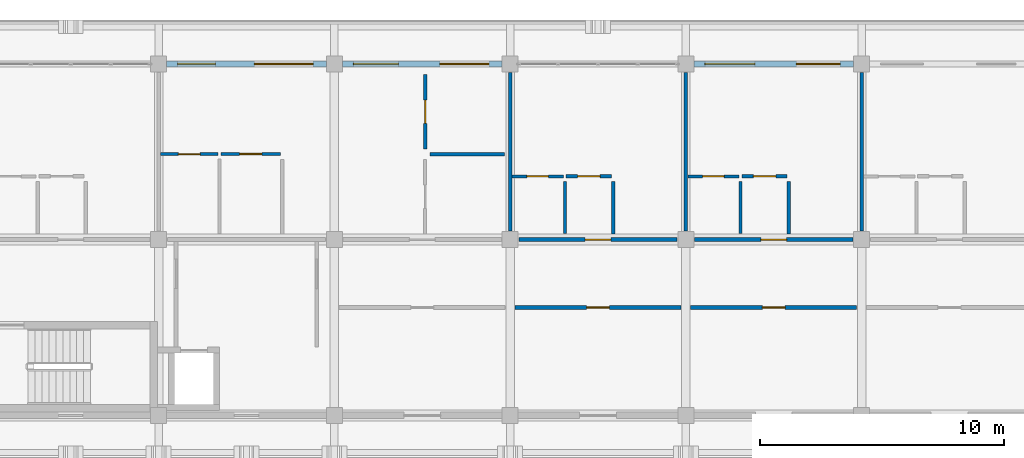
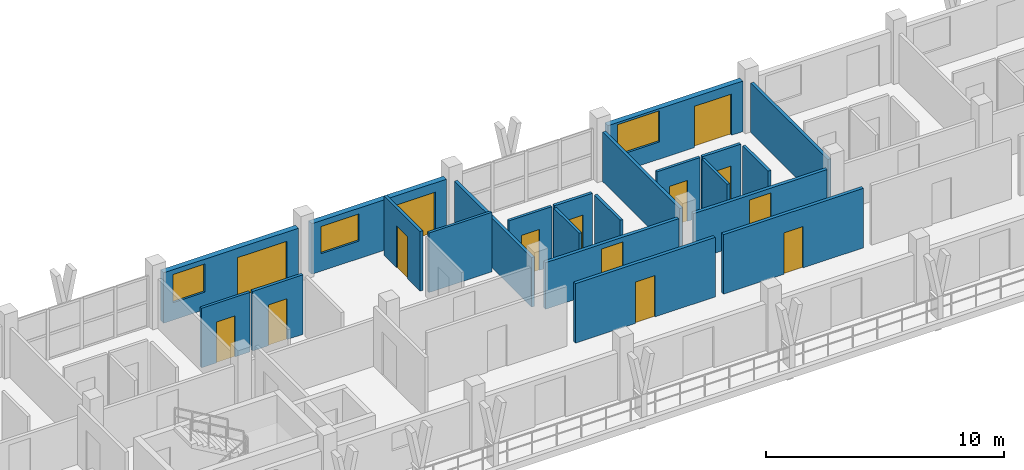
# One storey, part 46 of 75: 22 walls, 14 doors, 3 windows, 17 openings.
"""IFC4 building model written with IfcOpenShell, lengths in metres."""

from ifc_helpers import new_model, si_unit, direction, frame, frame_2d, origin, place, context, subcontext, project, spatial, rectangle, extrude, material, layer, layer_set, type_object, element, fill, save


model = new_model("IFC4")

# Units and contexts
model_context = context("Model", 3, precision=1e-05, world=origin(), true_north=direction((0.0, 1.0)))
body_context = subcontext(model_context, "Body", "Model", "MODEL_VIEW")
ifc_project = project(units=[si_unit("LENGTHUNIT", "METRE"), si_unit("AREAUNIT", "SQUARE_METRE"), si_unit("VOLUMEUNIT", "CUBIC_METRE"), si_unit("PLANEANGLEUNIT", "RADIAN"), si_unit("MASSUNIT", "GRAM", prefix="KILO")], contexts=[model_context])

# Site, building, storey
site_placement = place(None, origin())
site = spatial("IfcSite", under=ifc_project, at=site_placement, CompositionType="ELEMENT")
building_placement = place(site_placement, origin())
building = spatial("IfcBuilding", under=site, at=building_placement, Name="Suanplinth Sawtooth Commons", CompositionType="ELEMENT")
storey_placement = place(building_placement, frame((0.0, 0.0, 18.60009765625)))
storey = spatial("IfcBuildingStorey", under=building, at=storey_placement, Name="L05", CompositionType="ELEMENT", Elevation=18.60009765625)

# Wall, openings, door, window
ifc_material_1 = material(Name="Precast concrete C40/50", Category="concrete")
ifc_layer_1 = layer(ifc_material_1, 0.260009765625, Name="Insulated precast courtyard facade wall 260mm")
ifc_layer_set_1 = layer_set([ifc_layer_1], Name="Precast concrete C40/50")
wall_type_1 = type_object("IfcWallType", Name="W-EX02", PredefinedType="ELEMENTEDWALL", material=ifc_layer_set_1)
wall_1_placement = place(storey_placement, frame((65.125, 122.39990234375, 0.0), z_axis=(0.0, 0.0, 1.0), x_axis=(1.0, 0.0, 0.0)))
wall_1 = element("IfcWall", 1, at=wall_1_placement, inside=storey, type_object=wall_type_1, Name="Facade Wall W-L05-A-N-9", PredefinedType="ELEMENTEDWALL", context=body_context, shape_type="SweptSolid", body=[
    extrude(rectangle(XDim=6.550048828125, YDim=0.260009765625, at=frame_2d((3.27490234375, 0.0))), origin(), (0.0, 0.0, 1.0), 2.594970703125),
])
opening_1_placement = place(wall_1_placement, frame((3.60009765625, 0.0, 0.0)))
opening_1 = element("IfcOpeningElement", 2, at=opening_1_placement, cuts=wall_1, Name="Opening ED0407", PredefinedType="OPENING", context=body_context, shape_type="SweptSolid", body=[
    extrude(rectangle(XDim=2.39990234375, YDim=2.1201171875, at=frame_2d((1.199951171875, 1.06005859375))), frame((0.0, 0.14501953125, 0.0), z_axis=(0.0, -1.0, 0.0), x_axis=(1.0, 0.0, 0.0)), (0.0, 0.0, 1.0), 0.289794921875),
])
opening_2_placement = place(wall_1_placement, frame((0.449951171875, 0.0, 0.89990234375)))
opening_2 = element("IfcOpeningElement", 3, at=opening_2_placement, cuts=wall_1, Name="Opening W0501", PredefinedType="OPENING", context=body_context, shape_type="SweptSolid", body=[
    extrude(rectangle(XDim=1.550048828125, YDim=1.449951171875, at=frame_2d((0.77490234375, 0.72509765625))), frame((0.0, 0.14501953125, 0.0), z_axis=(0.0, -1.0, 0.0), x_axis=(1.0, 0.0, 0.0)), (0.0, 0.0, 1.0), 0.289794921875),
])
ifc_material_2 = material(Name="Anodized aluminium and low-E glass", Category="aluminium")
door_type_1 = type_object("IfcDoorType", Name="SD-04", OperationType="DOUBLE_DOOR_SLIDING", PredefinedType="DOOR", material=ifc_material_2)
door_1_placement = place(opening_1_placement, frame((2.39990234375, 0.0, 0.0), z_axis=(0.0, 0.0, 1.0), x_axis=(-1.0, 0.0, 0.0)))
door_1 = element("IfcDoor", 4, at=door_1_placement, inside=storey, type_object=door_type_1, Name="Balcony Sliding Door L05-A-N-9", OperationType="DOUBLE_DOOR_SLIDING", OverallHeight=2.1201171875, OverallWidth=2.39990234375, PredefinedType="DOOR", context=body_context, shape_type="SweptSolid", body=[
    extrude(rectangle(XDim=2.39990234375, YDim=2.1201171875, at=frame_2d((1.199951171875, 1.06005859375))), frame((0.0, 0.02490234375, 0.0), z_axis=(0.0, -1.0, 0.0), x_axis=(1.0, 0.0, 0.0)), (0.0, 0.0, 1.0), 0.050048828125),
])
fill(opening_1, door_1)
ifc_material_3 = material(Name="Thermally broken aluminium and low-E double glazing", Category="aluminium")
window_type_1 = type_object("IfcWindowType", Name="WN-22", PartitioningType="DOUBLE_PANEL_VERTICAL", PredefinedType="WINDOW", material=ifc_material_3)
window_1_placement = place(opening_2_placement, origin())
window_1 = element("IfcWindow", 5, at=window_1_placement, inside=storey, type_object=window_type_1, Name="Window L05-A-N-9", OverallHeight=1.449951171875, OverallWidth=1.550048828125, PartitioningType="DOUBLE_PANEL_VERTICAL", PredefinedType="WINDOW", context=body_context, shape_type="SweptSolid", body=[
    extrude(rectangle(XDim=1.550048828125, YDim=1.449951171875, at=frame_2d((0.77490234375, 0.72509765625))), frame((0.0, 0.030029296875, 0.0), z_axis=(0.0, -1.0, 0.0), x_axis=(1.0, 0.0, 0.0)), (0.0, 0.0, 1.0), 0.06005859375),
])
fill(opening_2, window_1)

wall_2_placement = place(storey_placement, frame((72.324951171875, 122.39990234375, 0.0), z_axis=(0.0, 0.0, 1.0), x_axis=(1.0, 0.0, 0.0)))
wall_2 = element("IfcWall", 6, at=wall_2_placement, inside=storey, type_object=wall_type_1, Name="Facade Wall W-L05-A-N-10", PredefinedType="ELEMENTEDWALL", context=body_context, shape_type="SweptSolid", body=[
    extrude(rectangle(XDim=6.550048828125, YDim=0.260009765625, at=frame_2d((3.27490234375, 0.0))), origin(), (0.0, 0.0, 1.0), 2.594970703125),
])
opening_3_placement = place(wall_2_placement, frame((4.0, 0.0, 0.0)))
opening_3 = element("IfcOpeningElement", 7, at=opening_3_placement, cuts=wall_2, Name="Opening ED0408", PredefinedType="OPENING", context=body_context, shape_type="SweptSolid", body=[
    extrude(rectangle(XDim=2.0, YDim=2.1201171875, at=frame_2d((1.0, 1.06005859375))), frame((0.0, 0.14501953125, 0.0), z_axis=(0.0, -1.0, 0.0), x_axis=(1.0, 0.0, 0.0)), (0.0, 0.0, 1.0), 0.289794921875),
])
opening_4_placement = place(wall_2_placement, frame((0.449951171875, 0.0, 0.89990234375)))
opening_4 = element("IfcOpeningElement", 8, at=opening_4_placement, cuts=wall_2, Name="Opening W0503", PredefinedType="OPENING", context=body_context, shape_type="SweptSolid", body=[
    extrude(rectangle(XDim=1.85009765625, YDim=1.39990234375, at=frame_2d((0.925048828125, 0.699951171875))), frame((0.0, 0.14501953125, 0.0), z_axis=(0.0, -1.0, 0.0), x_axis=(1.0, 0.0, 0.0)), (0.0, 0.0, 1.0), 0.289794921875),
])
door_type_2 = type_object("IfcDoorType", Name="SD-06", OperationType="DOUBLE_DOOR_SLIDING", PredefinedType="DOOR", material=ifc_material_2)
door_2_placement = place(opening_3_placement, frame((2.0, 0.0, 0.0), z_axis=(0.0, 0.0, 1.0), x_axis=(-1.0, 0.0, 0.0)))
door_2 = element("IfcDoor", 9, at=door_2_placement, inside=storey, type_object=door_type_2, Name="Balcony Sliding Door L05-A-N-10", OperationType="DOUBLE_DOOR_SLIDING", OverallHeight=2.1201171875, OverallWidth=2.0, PredefinedType="DOOR", context=body_context, shape_type="SweptSolid", body=[
    extrude(rectangle(XDim=2.0, YDim=2.1201171875, at=frame_2d((1.0, 1.06005859375))), frame((0.0, 0.02490234375, 0.0), z_axis=(0.0, -1.0, 0.0), x_axis=(1.0, 0.0, 0.0)), (0.0, 0.0, 1.0), 0.050048828125),
])
fill(opening_3, door_2)
window_type_2 = type_object("IfcWindowType", Name="WN-23", PartitioningType="DOUBLE_PANEL_VERTICAL", PredefinedType="WINDOW", material=ifc_material_3)
window_2_placement = place(opening_4_placement, origin())
window_2 = element("IfcWindow", 10, at=window_2_placement, inside=storey, type_object=window_type_2, Name="Window L05-A-N-10", OverallHeight=1.39990234375, OverallWidth=1.85009765625, PartitioningType="DOUBLE_PANEL_VERTICAL", PredefinedType="WINDOW", context=body_context, shape_type="SweptSolid", body=[
    extrude(rectangle(XDim=1.85009765625, YDim=1.39990234375, at=frame_2d((0.925048828125, 0.699951171875))), frame((0.0, 0.030029296875, 0.0), z_axis=(0.0, -1.0, 0.0), x_axis=(1.0, 0.0, 0.0)), (0.0, 0.0, 1.0), 0.06005859375),
])
fill(opening_4, window_2)

wall_3_placement = place(storey_placement, frame((86.72509765625, 122.39990234375, 0.0), z_axis=(0.0, 0.0, 1.0), x_axis=(1.0, 0.0, 0.0)))
wall_3 = element("IfcWall", 11, at=wall_3_placement, inside=storey, type_object=wall_type_1, Name="Facade Wall W-L05-A-N-12", PredefinedType="ELEMENTEDWALL", context=body_context, shape_type="SweptSolid", body=[
    extrude(rectangle(XDim=6.5498046875, YDim=0.260009765625, at=frame_2d((3.27490234375, 0.0))), origin(), (0.0, 0.0, 1.0), 2.594970703125),
])
opening_5_placement = place(wall_3_placement, frame((4.199951171875, 0.0, 0.0)))
opening_5 = element("IfcOpeningElement", 12, at=opening_5_placement, cuts=wall_3, Name="Opening ED0411", PredefinedType="OPENING", context=body_context, shape_type="SweptSolid", body=[
    extrude(rectangle(XDim=1.800048828125, YDim=2.1201171875, at=frame_2d((0.89990234375, 1.06005859375))), frame((0.0, 0.14501953125, 0.0), z_axis=(0.0, -1.0, 0.0), x_axis=(1.0, 0.0, 0.0)), (0.0, 0.0, 1.0), 0.289794921875),
])
opening_6_placement = place(wall_3_placement, frame((0.449951171875, 0.0, 0.885009765625)))
opening_6 = element("IfcOpeningElement", 13, at=opening_6_placement, cuts=wall_3, Name="Opening W0504", PredefinedType="OPENING", context=body_context, shape_type="SweptSolid", body=[
    extrude(rectangle(XDim=2.050048828125, YDim=1.60009765625, at=frame_2d((1.02490234375, 0.800048828125))), frame((0.0, 0.14501953125, 0.0), z_axis=(0.0, -1.0, 0.0), x_axis=(1.0, 0.0, 0.0)), (0.0, 0.0, 1.0), 0.289794921875),
])
door_type_3 = type_object("IfcDoorType", Name="SD-01", OperationType="SLIDING_TO_LEFT", PredefinedType="DOOR", material=ifc_material_2)
door_3_placement = place(opening_5_placement, frame((1.800048828125, 0.0, 0.0), z_axis=(0.0, 0.0, 1.0), x_axis=(-1.0, 0.0, 0.0)))
door_3 = element("IfcDoor", 14, at=door_3_placement, inside=storey, type_object=door_type_3, Name="Balcony Sliding Door L05-A-N-12", OperationType="SLIDING_TO_LEFT", OverallHeight=2.1201171875, OverallWidth=1.800048828125, PredefinedType="DOOR", context=body_context, shape_type="SweptSolid", body=[
    extrude(rectangle(XDim=1.800048828125, YDim=2.1201171875, at=frame_2d((0.89990234375, 1.06005859375))), frame((0.0, 0.02490234375, 0.0), z_axis=(0.0, -1.0, 0.0), x_axis=(1.0, 0.0, 0.0)), (0.0, 0.0, 1.0), 0.050048828125),
])
fill(opening_5, door_3)
window_type_3 = type_object("IfcWindowType", Name="WN-25", PartitioningType="DOUBLE_PANEL_VERTICAL", PredefinedType="WINDOW", material=ifc_material_3)
window_3_placement = place(opening_6_placement, origin())
window_3 = element("IfcWindow", 15, at=window_3_placement, inside=storey, type_object=window_type_3, Name="Window L05-A-N-12", OverallHeight=1.60009765625, OverallWidth=2.050048828125, PartitioningType="DOUBLE_PANEL_VERTICAL", PredefinedType="WINDOW", context=body_context, shape_type="SweptSolid", body=[
    extrude(rectangle(XDim=2.050048828125, YDim=1.60009765625, at=frame_2d((1.02490234375, 0.800048828125))), frame((0.0, 0.030029296875, 0.0), z_axis=(0.0, -1.0, 0.0), x_axis=(1.0, 0.0, 0.0)), (0.0, 0.0, 1.0), 0.06005859375),
])
fill(opening_6, window_3)

# Wall, opening, door
ifc_layer_2 = layer(ifc_material_1, 0.159912109375, Name="Fire-rated corridor and lobby wall 160mm")
ifc_layer_set_2 = layer_set([ifc_layer_2], Name="Precast concrete C40/50")
wall_type_2 = type_object("IfcWallType", Name="W-FW01", PredefinedType="PARTITIONING", material=ifc_layer_set_2)
wall_4_placement = place(storey_placement, frame((79.554931640625, 115.199951171875, 0.0), z_axis=(0.0, 0.0, 1.0), x_axis=(1.0, 0.0, 0.0)))
wall_4 = element("IfcWall", 16, at=wall_4_placement, inside=storey, type_object=wall_type_2, Name="W-A-L05-U08-COR", PredefinedType="PARTITIONING", context=body_context, shape_type="SweptSolid", body=[
    extrude(rectangle(XDim=6.489990234375, YDim=0.159912109375, at=frame_2d((3.2451171875, 0.0))), origin(), (0.0, 0.0, 1.0), 2.39501953125),
])
opening_7_placement = place(wall_4_placement, frame((2.719970703125, 0.0, 0.0)))
opening_7 = element("IfcOpeningElement", 17, at=opening_7_placement, cuts=wall_4, Name="Opening FD1224", PredefinedType="OPENING", context=body_context, shape_type="SweptSolid", body=[
    extrude(rectangle(XDim=1.050048828125, YDim=2.14990234375, at=frame_2d((0.52490234375, 1.074951171875))), frame((0.0, 0.0947265625, 0.0), z_axis=(0.0, -1.0, 0.0), x_axis=(1.0, 0.0, 0.0)), (0.0, 0.0, 1.0), 0.189697265625),
])
ifc_material_4 = material(Name="Teak hardwood fire-rated door assembly", Category="wood")
door_type_4 = type_object("IfcDoorType", Name="FD-04", OperationType="NOTDEFINED", PredefinedType="DOOR", material=ifc_material_4)
door_4_placement = place(opening_7_placement, origin())
door_4 = element("IfcDoor", 18, at=door_4_placement, inside=storey, type_object=door_type_4, Name="Unit Entrance Door FD1224", OperationType="SINGLE_SWING_RIGHT", OverallHeight=2.14990234375, OverallWidth=1.050048828125, PredefinedType="DOOR", context=body_context, shape_type="SweptSolid", body=[
    extrude(rectangle(XDim=1.050048828125, YDim=2.14990234375, at=frame_2d((0.52490234375, 1.074951171875))), frame((0.0, 0.02490234375, 0.0), z_axis=(0.0, -1.0, 0.0), x_axis=(1.0, 0.0, 0.0)), (0.0, 0.0, 1.0), 0.050048828125),
])
fill(opening_7, door_4)

wall_5_placement = place(storey_placement, frame((86.7548828125, 115.199951171875, 0.0), z_axis=(0.0, 0.0, 1.0), x_axis=(1.0, 0.0, 0.0)))
wall_5 = element("IfcWall", 19, at=wall_5_placement, inside=storey, type_object=wall_type_2, Name="W-A-L05-U09-COR", PredefinedType="PARTITIONING", context=body_context, shape_type="SweptSolid", body=[
    extrude(rectangle(XDim=6.490234375, YDim=0.159912109375, at=frame_2d((3.2451171875, 0.0))), origin(), (0.0, 0.0, 1.0), 2.39501953125),
])
opening_8_placement = place(wall_5_placement, frame((2.719970703125, 0.0, 0.0)))
opening_8 = element("IfcOpeningElement", 20, at=opening_8_placement, cuts=wall_5, Name="Opening FD1227", PredefinedType="OPENING", context=body_context, shape_type="SweptSolid", body=[
    extrude(rectangle(XDim=1.050048828125, YDim=2.14990234375, at=frame_2d((0.52490234375, 1.074951171875))), frame((0.0, 0.0947265625, 0.0), z_axis=(0.0, -1.0, 0.0), x_axis=(1.0, 0.0, 0.0)), (0.0, 0.0, 1.0), 0.189697265625),
])
door_5_placement = place(opening_8_placement, origin())
door_5 = element("IfcDoor", 21, at=door_5_placement, inside=storey, type_object=door_type_4, Name="Unit Entrance Door FD1227", OperationType="SINGLE_SWING_LEFT", OverallHeight=2.14990234375, OverallWidth=1.050048828125, PredefinedType="DOOR", context=body_context, shape_type="SweptSolid", body=[
    extrude(rectangle(XDim=1.050048828125, YDim=2.14990234375, at=frame_2d((0.52490234375, 1.074951171875))), frame((0.0, 0.02490234375, 0.0), z_axis=(0.0, -1.0, 0.0), x_axis=(1.0, 0.0, 0.0)), (0.0, 0.0, 1.0), 0.050048828125),
])
fill(opening_8, door_5)

wall_6_placement = place(storey_placement, frame((79.39990234375, 112.419921875, 0.0), z_axis=(0.0, 0.0, 1.0), x_axis=(1.0, 0.0, 0.0)))
wall_6 = element("IfcWall", 22, at=wall_6_placement, inside=storey, type_object=wall_type_2, Name="W-A-L05-COURTROOM-18-COR", PredefinedType="PARTITIONING", context=body_context, shape_type="SweptSolid", body=[
    extrude(rectangle(XDim=6.800048828125, YDim=0.159912109375, at=frame_2d((3.39990234375, 0.0))), origin(), (0.0, 0.0, 1.0), 3.059814453125),
])
opening_9_placement = place(wall_6_placement, frame((2.929931640625, 0.0, 0.0)))
opening_9 = element("IfcOpeningElement", 23, at=opening_9_placement, cuts=wall_6, Name="Opening D1243", PredefinedType="OPENING", context=body_context, shape_type="SweptSolid", body=[
    extrude(rectangle(XDim=0.93994140625, YDim=2.1201171875, at=frame_2d((0.469970703125, 1.06005859375))), frame((0.0, 0.0947265625, 0.0), z_axis=(0.0, -1.0, 0.0), x_axis=(1.0, 0.0, 0.0)), (0.0, 0.0, 1.0), 0.189697265625),
])
ifc_material_5 = material(Name="Teak hardwood", Category="wood")
door_type_5 = type_object("IfcDoorType", Name="D-15", OperationType="NOTDEFINED", PredefinedType="DOOR", material=ifc_material_5)
door_6_placement = place(opening_9_placement, frame((0.93994140625, 0.0, 0.0), z_axis=(0.0, 0.0, 1.0), x_axis=(-1.0, 0.0, 0.0)))
door_6 = element("IfcDoor", 24, at=door_6_placement, inside=storey, type_object=door_type_5, Name="Study Studio Door D1243", OperationType="SINGLE_SWING_LEFT", OverallHeight=2.1201171875, OverallWidth=0.93994140625, PredefinedType="DOOR", context=body_context, shape_type="SweptSolid", body=[
    extrude(rectangle(XDim=0.93994140625, YDim=2.1201171875, at=frame_2d((0.469970703125, 1.06005859375))), frame((0.0, 0.02490234375, 0.0), z_axis=(0.0, -1.0, 0.0), x_axis=(1.0, 0.0, 0.0)), (0.0, 0.0, 1.0), 0.050048828125),
])
fill(opening_9, door_6)

wall_7_placement = place(storey_placement, frame((86.60009765625, 112.419921875, 0.0), z_axis=(0.0, 0.0, 1.0), x_axis=(1.0, 0.0, 0.0)))
wall_7 = element("IfcWall", 25, at=wall_7_placement, inside=storey, type_object=wall_type_2, Name="W-A-L05-COURTROOM-19-COR", PredefinedType="PARTITIONING", context=body_context, shape_type="SweptSolid", body=[
    extrude(rectangle(XDim=6.7998046875, YDim=0.159912109375, at=frame_2d((3.39990234375, 0.0))), origin(), (0.0, 0.0, 1.0), 3.059814453125),
])
opening_10_placement = place(wall_7_placement, frame((2.929931640625, 0.0, 0.0)))
opening_10 = element("IfcOpeningElement", 26, at=opening_10_placement, cuts=wall_7, Name="Opening D1244", PredefinedType="OPENING", context=body_context, shape_type="SweptSolid", body=[
    extrude(rectangle(XDim=0.93994140625, YDim=2.1201171875, at=frame_2d((0.469970703125, 1.06005859375))), frame((0.0, 0.0947265625, 0.0), z_axis=(0.0, -1.0, 0.0), x_axis=(1.0, 0.0, 0.0)), (0.0, 0.0, 1.0), 0.189697265625),
])
door_7_placement = place(opening_10_placement, frame((0.93994140625, 0.0, 0.0), z_axis=(0.0, 0.0, 1.0), x_axis=(-1.0, 0.0, 0.0)))
door_7 = element("IfcDoor", 27, at=door_7_placement, inside=storey, type_object=door_type_5, Name="Study Studio Door D1244", OperationType="SINGLE_SWING_RIGHT", OverallHeight=2.1201171875, OverallWidth=0.93994140625, PredefinedType="DOOR", context=body_context, shape_type="SweptSolid", body=[
    extrude(rectangle(XDim=0.93994140625, YDim=2.1201171875, at=frame_2d((0.469970703125, 1.06005859375))), frame((0.0, 0.02490234375, 0.0), z_axis=(0.0, -1.0, 0.0), x_axis=(1.0, 0.0, 0.0)), (0.0, 0.0, 1.0), 0.050048828125),
])
fill(opening_10, door_7)

# Walls
ifc_layer_3 = layer(ifc_material_1, 0.14990234375, Name="Acoustic precast party demising wall 150mm")
ifc_layer_set_3 = layer_set([ifc_layer_3], Name="Precast concrete C40/50")
wall_type_3 = type_object("IfcWallType", Name="W-FW02", PredefinedType="PARTITIONING", material=ifc_layer_set_3)
for number, where, z_axis, x_axis, name in (
    (28, (79.199951171875, 115.554931640625, 0.0), (0.0, 0.0, 1.0), (0.0, 1.0, 0.0), "W-A-L05-U07-PTY"),
    (29, (86.39990234375, 115.554931640625, 0.0), (0.0, 0.0, 1.0), (0.0, 1.0, 0.0), "W-A-L05-U08-PTY"),
    (30, (93.60009765625, 115.554931640625, 0.0), (0.0, 0.0, 1.0), (0.0, 1.0, 0.0), "W-A-L05-U09-PTY"),
):
    element("IfcWall", number, at=place(storey_placement, frame(where, z_axis=z_axis, x_axis=x_axis)), inside=storey, type_object=wall_type_3, Name=name, PredefinedType="PARTITIONING", context=body_context, shape_type="SweptSolid", body=[
        extrude(rectangle(XDim=6.489990234375, YDim=0.14990234375, at=frame_2d((3.2451171875, 0.0))), origin(), (0.0, 0.0, 1.0), 2.544921875),
    ])

# Wall, opening, door
ifc_material_6 = material(Name="Gypsum plasterboard on steel stud", Category="steel")
ifc_layer_4 = layer(ifc_material_6, 0.139892578125, Name="Fire-rated kitchen partition 140mm")
ifc_layer_set_4 = layer_set([ifc_layer_4], Name="Gypsum plasterboard on steel stud")
wall_type_4 = type_object("IfcWallType", Name="W-PT01", PredefinedType="PARTITIONING", material=ifc_layer_set_4)
wall_8_placement = place(storey_placement, frame((67.35009765625, 118.7099609375, 0.0), z_axis=(0.0, 0.0, 1.0), x_axis=(1.0, 0.0, 0.0)))
wall_8 = element("IfcWall", 31, at=wall_8_placement, inside=storey, type_object=wall_type_4, Name="W-A-L05-U07-KIT1", PredefinedType="PARTITIONING", context=body_context, shape_type="SweptSolid", body=[
    extrude(rectangle(XDim=2.449951171875, YDim=0.139892578125, at=frame_2d((1.22509765625, 0.0))), origin(), (0.0, 0.0, 1.0), 3.059814453125),
])
opening_11_placement = place(wall_8_placement, frame((0.764892578125, 0.0, 0.0)))
opening_11 = element("IfcOpeningElement", 32, at=opening_11_placement, cuts=wall_8, Name="Opening D1221", PredefinedType="OPENING", context=body_context, shape_type="SweptSolid", body=[
    extrude(rectangle(XDim=0.919921875, YDim=2.10009765625, at=frame_2d((0.4599609375, 1.050048828125))), frame((0.0, 0.0849609375, 0.0), z_axis=(0.0, -1.0, 0.0), x_axis=(1.0, 0.0, 0.0)), (0.0, 0.0, 1.0), 0.169677734375),
])
door_type_6 = type_object("IfcDoorType", Name="D-02", OperationType="NOTDEFINED", PredefinedType="DOOR", material=ifc_material_5)
door_8_placement = place(opening_11_placement, frame((0.919921875, 0.0, 0.0), z_axis=(0.0, 0.0, 1.0), x_axis=(-1.0, 0.0, 0.0)))
door_8 = element("IfcDoor", 33, at=door_8_placement, inside=storey, type_object=door_type_6, Name="Kitchen Door D1221", OperationType="SINGLE_SWING_LEFT", OverallHeight=2.10009765625, OverallWidth=0.919921875, PredefinedType="DOOR", context=body_context, shape_type="SweptSolid", body=[
    extrude(rectangle(XDim=0.919921875, YDim=2.10009765625, at=frame_2d((0.4599609375, 1.050048828125))), frame((0.0, 0.02490234375, 0.0), z_axis=(0.0, -1.0, 0.0), x_axis=(1.0, 0.0, 0.0)), (0.0, 0.0, 1.0), 0.050048828125),
])
fill(opening_11, door_8)

wall_9_placement = place(storey_placement, frame((81.5, 117.800048828125, 0.0), z_axis=(0.0, 0.0, 1.0), x_axis=(1.0, 0.0, 0.0)))
wall_9 = element("IfcWall", 34, at=wall_9_placement, inside=storey, type_object=wall_type_4, Name="W-A-L05-U08-KIT1", PredefinedType="PARTITIONING", context=body_context, shape_type="SweptSolid", body=[
    extrude(rectangle(XDim=1.85009765625, YDim=0.139892578125, at=frame_2d((0.925048828125, 0.0))), origin(), (0.0, 0.0, 1.0), 3.059814453125),
])
opening_12_placement = place(wall_9_placement, frame((0.465087890625, 0.0, 0.0)))
opening_12 = element("IfcOpeningElement", 35, at=opening_12_placement, cuts=wall_9, Name="Opening D1226", PredefinedType="OPENING", context=body_context, shape_type="SweptSolid", body=[
    extrude(rectangle(XDim=0.919921875, YDim=2.10009765625, at=frame_2d((0.4599609375, 1.050048828125))), frame((0.0, 0.0849609375, 0.0), z_axis=(0.0, -1.0, 0.0), x_axis=(1.0, 0.0, 0.0)), (0.0, 0.0, 1.0), 0.169677734375),
])
door_9_placement = place(opening_12_placement, frame((0.919921875, 0.0, 0.0), z_axis=(0.0, 0.0, 1.0), x_axis=(-1.0, 0.0, 0.0)))
door_9 = element("IfcDoor", 36, at=door_9_placement, inside=storey, type_object=door_type_6, Name="Kitchen Door D1226", OperationType="SINGLE_SWING_RIGHT", OverallHeight=2.10009765625, OverallWidth=0.919921875, PredefinedType="DOOR", context=body_context, shape_type="SweptSolid", body=[
    extrude(rectangle(XDim=0.919921875, YDim=2.10009765625, at=frame_2d((0.4599609375, 1.050048828125))), frame((0.0, 0.02490234375, 0.0), z_axis=(0.0, -1.0, 0.0), x_axis=(1.0, 0.0, 0.0)), (0.0, 0.0, 1.0), 0.050048828125),
])
fill(opening_12, door_9)

# Wall
wall_10_placement = place(storey_placement, frame((83.419921875, 115.429931640625, 0.0), z_axis=(0.0, 0.0, 1.0), x_axis=(0.0, 1.0, 0.0)))
element("IfcWall", 37, at=wall_10_placement, inside=storey, type_object=wall_type_4, Name="W-A-L05-U08-KIT2", PredefinedType="PARTITIONING", context=body_context, shape_type="SweptSolid", body=[
    extrude(rectangle(XDim=2.150146484375, YDim=0.139892578125, at=frame_2d((1.0751953125, 0.0))), origin(), (0.0, 0.0, 1.0), 3.059814453125),
])

# Wall, opening, door
wall_11_placement = place(storey_placement, frame((88.699951171875, 117.800048828125, 0.0), z_axis=(0.0, 0.0, 1.0), x_axis=(1.0, 0.0, 0.0)))
wall_11 = element("IfcWall", 38, at=wall_11_placement, inside=storey, type_object=wall_type_4, Name="W-A-L05-U09-KIT1", PredefinedType="PARTITIONING", context=body_context, shape_type="SweptSolid", body=[
    extrude(rectangle(XDim=1.85009765625, YDim=0.139892578125, at=frame_2d((0.925048828125, 0.0))), origin(), (0.0, 0.0, 1.0), 3.059814453125),
])
opening_13_placement = place(wall_11_placement, frame((0.465087890625, 0.0, 0.0)))
opening_13 = element("IfcOpeningElement", 39, at=opening_13_placement, cuts=wall_11, Name="Opening D1229", PredefinedType="OPENING", context=body_context, shape_type="SweptSolid", body=[
    extrude(rectangle(XDim=0.919921875, YDim=2.10009765625, at=frame_2d((0.4599609375, 1.050048828125))), frame((0.0, 0.0849609375, 0.0), z_axis=(0.0, -1.0, 0.0), x_axis=(1.0, 0.0, 0.0)), (0.0, 0.0, 1.0), 0.169677734375),
])
door_10_placement = place(opening_13_placement, frame((0.919921875, 0.0, 0.0), z_axis=(0.0, 0.0, 1.0), x_axis=(-1.0, 0.0, 0.0)))
door_10 = element("IfcDoor", 40, at=door_10_placement, inside=storey, type_object=door_type_6, Name="Kitchen Door D1229", OperationType="SINGLE_SWING_LEFT", OverallHeight=2.10009765625, OverallWidth=0.919921875, PredefinedType="DOOR", context=body_context, shape_type="SweptSolid", body=[
    extrude(rectangle(XDim=0.919921875, YDim=2.10009765625, at=frame_2d((0.4599609375, 1.050048828125))), frame((0.0, 0.02490234375, 0.0), z_axis=(0.0, -1.0, 0.0), x_axis=(1.0, 0.0, 0.0)), (0.0, 0.0, 1.0), 0.050048828125),
])
fill(opening_13, door_10)

# Wall
wall_12_placement = place(storey_placement, frame((90.6201171875, 115.429931640625, 0.0), z_axis=(0.0, 0.0, 1.0), x_axis=(0.0, 1.0, 0.0)))
element("IfcWall", 41, at=wall_12_placement, inside=storey, type_object=wall_type_4, Name="W-A-L05-U09-KIT2", PredefinedType="PARTITIONING", context=body_context, shape_type="SweptSolid", body=[
    extrude(rectangle(XDim=2.150146484375, YDim=0.139892578125, at=frame_2d((1.0751953125, 0.0))), origin(), (0.0, 0.0, 1.0), 3.059814453125),
])

# Wall, opening, door
ifc_layer_5 = layer(ifc_material_6, 0.1298828125, Name="Moisture-resistant bathroom partition 130mm")
ifc_layer_set_5 = layer_set([ifc_layer_5], Name="Gypsum plasterboard on steel stud")
wall_type_5 = type_object("IfcWallType", Name="W-PT02", PredefinedType="PARTITIONING", material=ifc_layer_set_5)
wall_13_placement = place(storey_placement, frame((64.8798828125, 118.705078125, 0.0), z_axis=(0.0, 0.0, 1.0), x_axis=(1.0, 0.0, 0.0)))
wall_13 = element("IfcWall", 42, at=wall_13_placement, inside=storey, type_object=wall_type_5, Name="W-A-L05-U07-BTH1", PredefinedType="PARTITIONING", context=body_context, shape_type="SweptSolid", body=[
    extrude(rectangle(XDim=2.35009765625, YDim=0.1298828125, at=frame_2d((1.175048828125, 0.0))), origin(), (0.0, 0.0, 1.0), 3.059814453125),
])
opening_14_placement = place(wall_13_placement, frame((0.72509765625, 0.0, 0.0)))
opening_14 = element("IfcOpeningElement", 43, at=opening_14_placement, cuts=wall_13, Name="Opening D1220", PredefinedType="OPENING", context=body_context, shape_type="SweptSolid", body=[
    extrude(rectangle(XDim=0.89990234375, YDim=2.10009765625, at=frame_2d((0.449951171875, 1.050048828125))), frame((0.0, 0.079833984375, 0.0), z_axis=(0.0, -1.0, 0.0), x_axis=(1.0, 0.0, 0.0)), (0.0, 0.0, 1.0), 0.15966796875),
])
door_type_7 = type_object("IfcDoorType", Name="D-01", OperationType="NOTDEFINED", PredefinedType="DOOR", material=ifc_material_5)
door_11_placement = place(opening_14_placement, frame((0.89990234375, 0.0, 0.0), z_axis=(0.0, 0.0, 1.0), x_axis=(-1.0, 0.0, 0.0)))
door_11 = element("IfcDoor", 44, at=door_11_placement, inside=storey, type_object=door_type_7, Name="Bathroom Door D1220", OperationType="SINGLE_SWING_RIGHT", OverallHeight=2.10009765625, OverallWidth=0.89990234375, PredefinedType="DOOR", context=body_context, shape_type="SweptSolid", body=[
    extrude(rectangle(XDim=0.89990234375, YDim=2.10009765625, at=frame_2d((0.449951171875, 1.050048828125))), frame((0.0, 0.02490234375, 0.0), z_axis=(0.0, -1.0, 0.0), x_axis=(1.0, 0.0, 0.0)), (0.0, 0.0, 1.0), 0.050048828125),
])
fill(opening_14, door_11)

wall_14_placement = place(storey_placement, frame((79.280029296875, 117.794921875, 0.0), z_axis=(0.0, 0.0, 1.0), x_axis=(1.0, 0.0, 0.0)))
wall_14 = element("IfcWall", 45, at=wall_14_placement, inside=storey, type_object=wall_type_5, Name="W-A-L05-U08-BTH1", PredefinedType="PARTITIONING", context=body_context, shape_type="SweptSolid", body=[
    extrude(rectangle(XDim=2.099853515625, YDim=0.1298828125, at=frame_2d((1.0498046875, 0.0))), origin(), (0.0, 0.0, 1.0), 3.059814453125),
])
opening_15_placement = place(wall_14_placement, frame((0.610107421875, 0.0, 0.0)))
opening_15 = element("IfcOpeningElement", 46, at=opening_15_placement, cuts=wall_14, Name="Opening D1225", PredefinedType="OPENING", context=body_context, shape_type="SweptSolid", body=[
    extrude(rectangle(XDim=0.8798828125, YDim=2.10009765625, at=frame_2d((0.43994140625, 1.050048828125))), frame((0.0, 0.079833984375, 0.0), z_axis=(0.0, -1.0, 0.0), x_axis=(1.0, 0.0, 0.0)), (0.0, 0.0, 1.0), 0.15966796875),
])
door_type_8 = type_object("IfcDoorType", Name="D-14", OperationType="NOTDEFINED", PredefinedType="DOOR", material=ifc_material_5)
door_12_placement = place(opening_15_placement, frame((0.8798828125, 0.0, 0.0), z_axis=(0.0, 0.0, 1.0), x_axis=(-1.0, 0.0, 0.0)))
door_12 = element("IfcDoor", 47, at=door_12_placement, inside=storey, type_object=door_type_8, Name="Bathroom Door D1225", OperationType="SINGLE_SWING_LEFT", OverallHeight=2.10009765625, OverallWidth=0.8798828125, PredefinedType="DOOR", context=body_context, shape_type="SweptSolid", body=[
    extrude(rectangle(XDim=0.8798828125, YDim=2.10009765625, at=frame_2d((0.43994140625, 1.050048828125))), frame((0.0, 0.02490234375, 0.0), z_axis=(0.0, -1.0, 0.0), x_axis=(1.0, 0.0, 0.0)), (0.0, 0.0, 1.0), 0.050048828125),
])
fill(opening_15, door_12)

# Wall
wall_15_placement = place(storey_placement, frame((81.445068359375, 115.4599609375, 0.0), z_axis=(0.0, 0.0, 1.0), x_axis=(0.0, 1.0, 0.0)))
element("IfcWall", 48, at=wall_15_placement, inside=storey, type_object=wall_type_5, Name="W-A-L05-U08-BTH2", PredefinedType="PARTITIONING", context=body_context, shape_type="SweptSolid", body=[
    extrude(rectangle(XDim=2.130126953125, YDim=0.1298828125, at=frame_2d((1.06494140625, 0.0))), origin(), (0.0, 0.0, 1.0), 3.059814453125),
])

# Wall, opening, door
wall_16_placement = place(storey_placement, frame((86.47998046875, 117.794921875, 0.0), z_axis=(0.0, 0.0, 1.0), x_axis=(1.0, 0.0, 0.0)))
wall_16 = element("IfcWall", 49, at=wall_16_placement, inside=storey, type_object=wall_type_5, Name="W-A-L05-U09-BTH1", PredefinedType="PARTITIONING", context=body_context, shape_type="SweptSolid", body=[
    extrude(rectangle(XDim=2.10009765625, YDim=0.1298828125, at=frame_2d((1.050048828125, 0.0))), origin(), (0.0, 0.0, 1.0), 3.059814453125),
])
opening_16_placement = place(wall_16_placement, frame((0.610107421875, 0.0, 0.0)))
opening_16 = element("IfcOpeningElement", 50, at=opening_16_placement, cuts=wall_16, Name="Opening D1228", PredefinedType="OPENING", context=body_context, shape_type="SweptSolid", body=[
    extrude(rectangle(XDim=0.8798828125, YDim=2.10009765625, at=frame_2d((0.43994140625, 1.050048828125))), frame((0.0, 0.079833984375, 0.0), z_axis=(0.0, -1.0, 0.0), x_axis=(1.0, 0.0, 0.0)), (0.0, 0.0, 1.0), 0.15966796875),
])
door_13_placement = place(opening_16_placement, frame((0.8798828125, 0.0, 0.0), z_axis=(0.0, 0.0, 1.0), x_axis=(-1.0, 0.0, 0.0)))
door_13 = element("IfcDoor", 51, at=door_13_placement, inside=storey, type_object=door_type_8, Name="Bathroom Door D1228", OperationType="SINGLE_SWING_RIGHT", OverallHeight=2.10009765625, OverallWidth=0.8798828125, PredefinedType="DOOR", context=body_context, shape_type="SweptSolid", body=[
    extrude(rectangle(XDim=0.8798828125, YDim=2.10009765625, at=frame_2d((0.43994140625, 1.050048828125))), frame((0.0, 0.02490234375, 0.0), z_axis=(0.0, -1.0, 0.0), x_axis=(1.0, 0.0, 0.0)), (0.0, 0.0, 1.0), 0.050048828125),
])
fill(opening_16, door_13)

# Walls
wall_17_placement = place(storey_placement, frame((88.64501953125, 115.4599609375, 0.0), z_axis=(0.0, 0.0, 1.0), x_axis=(0.0, 1.0, 0.0)))
element("IfcWall", 52, at=wall_17_placement, inside=storey, type_object=wall_type_5, Name="W-A-L05-U09-BTH2", PredefinedType="PARTITIONING", context=body_context, shape_type="SweptSolid", body=[
    extrude(rectangle(XDim=2.130126953125, YDim=0.1298828125, at=frame_2d((1.06494140625, 0.0))), origin(), (0.0, 0.0, 1.0), 3.059814453125),
])
ifc_layer_6 = layer(ifc_material_6, 0.125, Name="Acoustic study partition 125mm")
ifc_layer_set_6 = layer_set([ifc_layer_6], Name="Gypsum plasterboard on steel stud")
wall_type_6 = type_object("IfcWallType", Name="W-PT06", PredefinedType="PARTITIONING", material=ifc_layer_set_6)
wall_18_placement = place(storey_placement, frame((75.919921875, 118.699951171875, 0.0), z_axis=(0.0, 0.0, 1.0), x_axis=(1.0, 0.0, 0.0)))
element("IfcWall", 53, at=wall_18_placement, inside=storey, type_object=wall_type_6, Name="W-A-L05-U07-BEDDIV", PredefinedType="PARTITIONING", context=body_context, shape_type="SweptSolid", body=[
    extrude(rectangle(XDim=3.06005859375, YDim=0.125, at=frame_2d((1.530029296875, 0.0))), origin(), (0.0, 0.0, 1.0), 3.059814453125),
])

# Wall, opening, door
ifc_layer_7 = layer(ifc_material_6, 0.135009765625, Name="Insulated bedroom demising partition 135mm")
ifc_layer_set_7 = layer_set([ifc_layer_7], Name="Gypsum plasterboard on steel stud")
wall_type_7 = type_object("IfcWallType", Name="W-PT07", PredefinedType="PARTITIONING", material=ifc_layer_set_7)
wall_19_placement = place(storey_placement, frame((75.719970703125, 118.919921875, 0.0), z_axis=(0.0, 0.0, 1.0), x_axis=(0.0, 1.0, 0.0)))
wall_19 = element("IfcWall", 54, at=wall_19_placement, inside=storey, type_object=wall_type_7, Name="W-A-L05-U07-BED1", PredefinedType="PARTITIONING", context=body_context, shape_type="SweptSolid", body=[
    extrude(rectangle(XDim=3.0400390625, YDim=0.135009765625, at=frame_2d((1.52001953125, 0.0))), origin(), (0.0, 0.0, 1.0), 3.059814453125),
])
opening_17_placement = place(wall_19_placement, frame((1.044921875, 0.0, 0.0)))
opening_17 = element("IfcOpeningElement", 55, at=opening_17_placement, cuts=wall_19, Name="Opening D1222", PredefinedType="OPENING", context=body_context, shape_type="SweptSolid", body=[
    extrude(rectangle(XDim=0.949951171875, YDim=2.14990234375, at=frame_2d((0.47509765625, 1.074951171875))), frame((0.0, 0.08251953125, 0.0), z_axis=(0.0, -1.0, 0.0), x_axis=(1.0, 0.0, 0.0)), (0.0, 0.0, 1.0), 0.164794921875),
])
door_type_9 = type_object("IfcDoorType", Name="D-03", OperationType="NOTDEFINED", PredefinedType="DOOR", material=ifc_material_5)
door_14_placement = place(opening_17_placement, frame((0.949951171875, 0.0, 0.0), z_axis=(0.0, 0.0, 1.0), x_axis=(-1.0, 0.0, 0.0)))
door_14 = element("IfcDoor", 56, at=door_14_placement, inside=storey, type_object=door_type_9, Name="Bedroom Door D1222", OperationType="SINGLE_SWING_RIGHT", OverallHeight=2.14990234375, OverallWidth=0.949951171875, PredefinedType="DOOR", context=body_context, shape_type="SweptSolid", body=[
    extrude(rectangle(XDim=0.949951171875, YDim=2.14990234375, at=frame_2d((0.47509765625, 1.074951171875))), frame((0.0, 0.02490234375, 0.0), z_axis=(0.0, -1.0, 0.0), x_axis=(1.0, 0.0, 0.0)), (0.0, 0.0, 1.0), 0.050048828125),
])
fill(opening_17, door_14)

save(model, "model.ifc")
